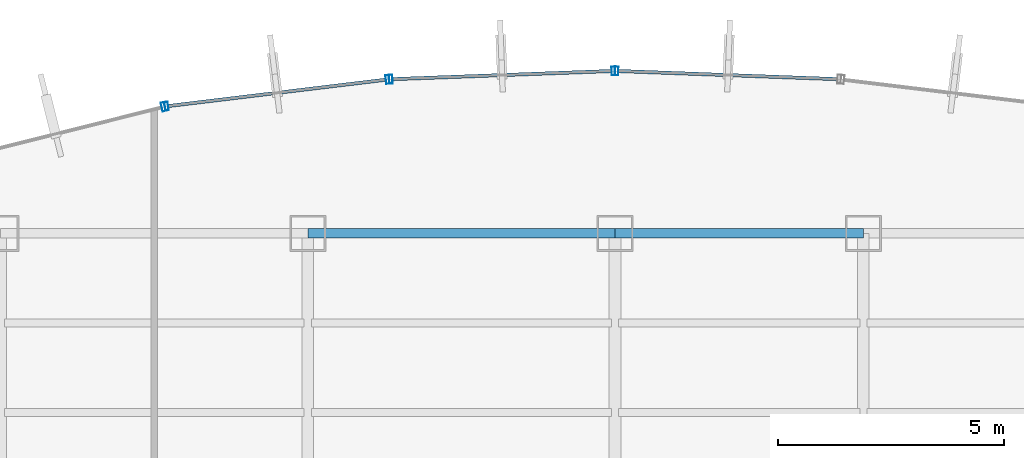
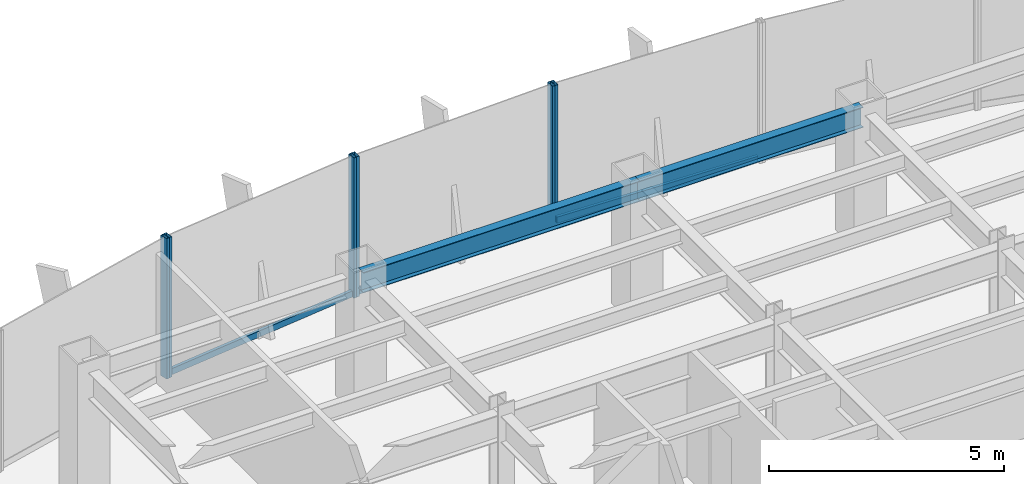
# One storey, part 16 of 26: 9 members, 2 beams, 4 elements without a shape of their own.
"""IFC4 building model written with IfcOpenShell, lengths in metres."""

import ifcopenshell
import ifcopenshell.guid

model = None  # the IFC model being written
_history = None  # IfcOwnerHistory: only IFC2X3 demands one
_inside = {}  # id of a spatial element -> (the spatial element, [elements in it])
_under = {}  # id of a project, library or spatial element -> (it, [spatial elements below it])
_declared = {}  # id of a project -> (the project, [libraries it declares])
_typed = {}  # id of a type object -> (the type object, [elements of that type])
_made_of = {}  # id of a material, layer set ... -> (it, [elements and type objects made of it])


def new_model(schema):
    """Start an empty IFC model of exactly this schema.

    Asked for "IFC4X3", IfcOpenShell would pick the latest addendum, in which some entities
    have other attributes; the version numbers below select the first issue.
    IFC2X3 requires an IfcOwnerHistory on every rooted entity: one is made here for all.
    """
    global model, _history
    if schema == "IFC4X3":
        model = ifcopenshell.file(schema_version=(4, 3, 0, 0))
    else:
        model = ifcopenshell.file(schema=schema)
    _inside.clear()
    _under.clear()
    _declared.clear()
    _typed.clear()
    _made_of.clear()
    _history = None
    if model.schema == "IFC2X3":
        org = make("IfcOrganization", Name="unknown")
        user = make(
            "IfcPersonAndOrganization",
            ThePerson=make("IfcPerson", FamilyName="unknown"),
            TheOrganization=org,
        )
        app = make(
            "IfcApplication",
            ApplicationDeveloper=org,
            Version="unknown",
            ApplicationFullName="unknown",
            ApplicationIdentifier="unknown",
        )
        _history = make(
            "IfcOwnerHistory",
            OwningUser=user,
            OwningApplication=app,
            ChangeAction="ADDED",
            CreationDate=0,
        )
    return model


def make(cls, **values):
    """One entity of the class cls with the attributes given. An attribute that is None is left unset."""
    return model.create_entity(
        cls, **{name: value for name, value in values.items() if value is not None}
    )


def rooted(cls, **values):
    """An entity with a GlobalId (a new one), such as an element, a storey or a relation."""
    return make(cls, GlobalId=ifcopenshell.guid.new(), OwnerHistory=_history, **values)


def si_unit(unit_type, name, prefix=None):
    """IfcSIUnit, for example si_unit("LENGTHUNIT", "METRE", prefix="MILLI")."""
    return make("IfcSIUnit", UnitType=unit_type, Prefix=prefix, Name=name)


def derived_unit(unit_type, elements):
    """IfcDerivedUnit: a product of units, each with its exponent."""
    return make(
        "IfcDerivedUnit",
        Elements=[
            make("IfcDerivedUnitElement", Unit=unit, Exponent=power)
            for unit, power in elements
        ],
        UnitType=unit_type,
    )


def assignment(units):
    """IfcUnitAssignment: the units of a project."""
    return None if units is None else make("IfcUnitAssignment", Units=units)


def point(xyz):
    """IfcCartesianPoint."""
    return None if xyz is None else make("IfcCartesianPoint", Coordinates=xyz)


def direction(xyz):
    """IfcDirection."""
    return None if xyz is None else make("IfcDirection", DirectionRatios=xyz)


def frame(location, z_axis=None, x_axis=None):
    """IfcAxis2Placement3D, a coordinate frame: its origin and axes. An axis left out is left unset."""
    return make(
        "IfcAxis2Placement3D",
        Location=point(location),
        Axis=direction(z_axis),
        RefDirection=direction(x_axis),
    )


def frame_2d(location, x_axis=None):
    """IfcAxis2Placement2D, a coordinate frame in the plane: its origin and x axis."""
    return make(
        "IfcAxis2Placement2D", Location=point(location), RefDirection=direction(x_axis)
    )


def origin():
    """The frame at (0, 0, 0) with its axes left unset."""
    return frame((0.0, 0.0, 0.0))


def origin_2d():
    """The frame at (0, 0) in the plane with its x axis left unset."""
    return frame_2d((0.0, 0.0))


def place(relative_to, where):
    """IfcLocalPlacement: puts the frame where relative to a parent placement (None: the world)."""
    return make(
        "IfcLocalPlacement", PlacementRelTo=relative_to, RelativePlacement=where
    )


def context(
    kind, dimensions, precision=None, world=None, true_north=None, identifier=None
):
    """IfcGeometricRepresentationContext, for example the 3D "Model" context."""
    return make(
        "IfcGeometricRepresentationContext",
        ContextIdentifier=identifier,
        ContextType=kind,
        CoordinateSpaceDimension=dimensions,
        Precision=precision,
        WorldCoordinateSystem=world,
        TrueNorth=true_north,
    )


def subcontext(parent, identifier, kind, view, scale=None):
    """IfcGeometricRepresentationSubContext, for example "Body" below "Model"."""
    return make(
        "IfcGeometricRepresentationSubContext",
        ContextIdentifier=identifier,
        ContextType=kind,
        ParentContext=parent,
        TargetScale=scale,
        TargetView=view,
    )


def project(units=None, contexts=None):
    """IfcProject with its units and contexts."""
    return rooted(
        "IfcProject",
        Name="project",
        RepresentationContexts=contexts,
        UnitsInContext=assignment(units),
    )


def spatial(cls, under=None, at=None, **own):
    """A site, building, storey or space (cls), placed at a placement, below another one or the project."""
    s = rooted(cls, ObjectPlacement=at, **own)
    if under is not None:
        _under.setdefault(under.id(), (under, []))[1].append(s)
    return s


def profile(cls, at=None, kind="AREA", **sizes):
    """A parametric profile (cls). Its sizes go by their IFC names, for example OverallWidth=200.0."""
    return make(cls, ProfileType=kind, Position=at, **sizes)


def hollow_rectangle(**sizes):
    """IfcRectangleHollowProfileDef."""
    return profile("IfcRectangleHollowProfileDef", **sizes)


def i_section(**sizes):
    """IfcIShapeProfileDef."""
    return profile("IfcIShapeProfileDef", **sizes)


def extrude(swept, where, along, depth):
    """IfcExtrudedAreaSolid: the profile swept, set in the frame where, extruded along a direction by depth."""
    return make(
        "IfcExtrudedAreaSolid",
        SweptArea=swept,
        Position=where,
        ExtrudedDirection=direction(along),
        Depth=depth,
    )


def shape(context_of_items, identifier, shape_type, items):
    """IfcShapeRepresentation: the items that make up one representation, for example the "Body"."""
    return make(
        "IfcShapeRepresentation",
        ContextOfItems=context_of_items,
        RepresentationIdentifier=identifier,
        RepresentationType=shape_type,
        Items=items,
    )


def source(mapping_origin, context_of_items, identifier, shape_type, items):
    """IfcRepresentationMap: a shape defined once, which mapped items show again and again."""
    return make(
        "IfcRepresentationMap",
        MappingOrigin=mapping_origin,
        MappedRepresentation=shape(context_of_items, identifier, shape_type, items),
    )


def transform(
    local_origin,
    x_axis=None,
    y_axis=None,
    z_axis=None,
    scale=None,
    scale2=None,
    scale3=None,
    uniform=True,
):
    """IfcCartesianTransformationOperator3D, or its non-uniform kind. x_axis, y_axis, z_axis: its Axis1, 2, 3."""
    if uniform:
        return make(
            "IfcCartesianTransformationOperator3D",
            Axis1=direction(x_axis),
            Axis2=direction(y_axis),
            LocalOrigin=point(local_origin),
            Scale=scale,
            Axis3=direction(z_axis),
        )
    return make(
        "IfcCartesianTransformationOperator3DnonUniform",
        Axis1=direction(x_axis),
        Axis2=direction(y_axis),
        LocalOrigin=point(local_origin),
        Scale=scale,
        Axis3=direction(z_axis),
        Scale2=scale2,
        Scale3=scale3,
    )


def mapped(mapping_source, mapping_target):
    """IfcMappedItem: shows the shape of a source again, moved by a transform."""
    return make(
        "IfcMappedItem", MappingSource=mapping_source, MappingTarget=mapping_target
    )


def material(Name=None, Category=None):
    """IfcMaterial."""
    return make("IfcMaterial", Name=Name, Category=Category)


def material_profile(
    of_material, cross_section, Name=None, Category=None, Priority=None
):
    """IfcMaterialProfile: a cross section and its material."""
    return make(
        "IfcMaterialProfile",
        Name=Name,
        Material=of_material,
        Profile=cross_section,
        Priority=Priority,
        Category=Category,
    )


def profile_set(profiles, Name=None, composite=None):
    """IfcMaterialProfileSet."""
    return make(
        "IfcMaterialProfileSet",
        Name=Name,
        MaterialProfiles=profiles,
        CompositeProfile=composite,
    )


def made_of(thing, what):
    """Note that an element or type object is made of a material, layer set ...; save() writes the relation."""
    if what is not None:
        _made_of.setdefault(what.id(), (what, []))[1].append(thing)
    return thing


def type_object(cls, material=None, **own):
    """A type object (cls), such as IfcWallType, which elements share."""
    return made_of(rooted(cls, **own), material)


def element(
    cls,
    number,
    at=None,
    inside=None,
    cuts=None,
    type_object=None,
    material=None,
    context=None,
    identifier="Body",
    shape_type=None,
    held_by="IfcProductDefinitionShape",
    body=None,
    shapes=None,
    **own,
):
    """One element of the class cls, such as IfcWall. Its Tag is "e" and its number.

    at: its placement. inside: the storey or other place that contains it. cuts: it is an
    opening in that element (IfcRelVoidsElement). A single representation is given by context,
    identifier, shape_type and body (its items); several are given by shapes. held_by: the class
    of the entity that holds the representations. save() writes the other relations.
    """
    e = rooted(cls, Tag="e%d" % number, ObjectPlacement=at, **own)
    if body is not None:
        shapes = [shape(context, identifier, shape_type, body)]
    if shapes is not None:
        e.Representation = make(held_by, Representations=shapes)
    if inside is not None:
        _inside.setdefault(inside.id(), (inside, []))[1].append(e)
    if cuts is not None:
        rooted(
            "IfcRelVoidsElement", RelatingBuildingElement=cuts, RelatedOpeningElement=e
        )
    if type_object is not None:
        _typed.setdefault(type_object.id(), (type_object, []))[1].append(e)
    return made_of(e, material)


def aggregate(whole, parts):
    """IfcRelAggregates: a whole, such as a stair, and the parts it consists of."""
    return rooted("IfcRelAggregates", RelatingObject=whole, RelatedObjects=parts)


def save(model, path):
    """Write the relations noted so far, then the file.

    IfcRelAggregates (storeys below a building ...), IfcRelContainedInSpatialStructure (elements
    in a storey), IfcRelDefinesByType, IfcRelAssociatesMaterial and IfcRelDeclares: one each for
    every whole, place, type object, material and project.
    """
    for whole, parts in _under.values():
        aggregate(whole, parts)
    for where, things in _inside.values():
        rooted(
            "IfcRelContainedInSpatialStructure",
            RelatedElements=things,
            RelatingStructure=where,
        )
    for kind, things in _typed.values():
        rooted("IfcRelDefinesByType", RelatedObjects=things, RelatingType=kind)
    for what, things in _made_of.values():
        rooted("IfcRelAssociatesMaterial", RelatedObjects=things, RelatingMaterial=what)
    for by, libraries in _declared.values():
        rooted("IfcRelDeclares", RelatingContext=by, RelatedDefinitions=libraries)
    model.write(path)


model = new_model("IFC4")

# Units and contexts
model_context = context("Model", 3, precision=1e-05, world=origin(), true_north=direction((0.0, 1.0)))
body_context = subcontext(model_context, "Body", "Model", "MODEL_VIEW")
ifc_project = project(units=[si_unit("LENGTHUNIT", "METRE"), si_unit("AREAUNIT", "SQUARE_METRE"), si_unit("VOLUMEUNIT", "CUBIC_METRE"), si_unit("PLANEANGLEUNIT", "RADIAN"), si_unit("MASSUNIT", "GRAM", prefix="KILO"), derived_unit("THERMALTRANSMITTANCEUNIT", [(si_unit("POWERUNIT", "WATT"), 1), (si_unit("LENGTHUNIT", "METRE"), -2), (si_unit("THERMODYNAMICTEMPERATUREUNIT", "KELVIN"), -1)])], contexts=[model_context])

# Site, building, storey
site_placement = place(None, origin())
site = spatial("IfcSite", under=ifc_project, at=site_placement, CompositionType="ELEMENT")
building_placement = place(site_placement, origin())
building = spatial("IfcBuilding", under=site, at=building_placement, Name="Skarnbrae Concourse Arena and Tower", CompositionType="ELEMENT")
storey_placement = place(building_placement, frame((0.0, 0.0, 132.449951171875)))
storey = spatial("IfcBuildingStorey", under=building, at=storey_placement, Name="L33", CompositionType="ELEMENT", Elevation=132.449951171875)

# Beams
ifc_material_1 = material(Name="Steel CSA G40.21 350W", Category="steel")
ifc_material_profile_1 = material_profile(ifc_material_1, i_section(OverallWidth=0.208984375, OverallDepth=0.532958984375, WebThickness=0.01025390625, FlangeThickness=0.015625, at=origin_2d()), Name="W530X92")
ifc_profile_set_1 = profile_set([ifc_material_profile_1], Name="Steel CSA G40.21 350W")
beam_type = type_object("IfcBeamType", Name="BM-SPAN-W530X92", PredefinedType="SPANDREL", material=ifc_profile_set_1)
shared_shape_1 = source(origin(), body_context, "Body", "SweptSolid", [
    extrude(i_section(OverallWidth=0.208984375, OverallDepth=0.532958984375, WebThickness=0.01025390625, FlangeThickness=0.015625, at=origin_2d()), origin(), (0.0, 0.0, 1.0), 6.800048828125),
])
beam_1_placement = place(storey_placement, frame((21.199951171875, 40.39990234375, 3.08349609375), z_axis=(1.0, 0.0, 0.0), x_axis=(0.0, 1.0, 0.0)))
element("IfcBeam", 1, at=beam_1_placement, inside=storey, type_object=beam_type, Name="L33 Perimeter spandrel Y40.4-2", PredefinedType="SPANDREL", context=body_context, shape_type="MappedRepresentation", body=[
    mapped(shared_shape_1, transform((0.0, 0.0, 0.0))),
])
shared_shape_2 = source(origin(), body_context, "Body", "SweptSolid", [
    extrude(i_section(OverallWidth=0.208984375, OverallDepth=0.532958984375, WebThickness=0.01025390625, FlangeThickness=0.015625, at=origin_2d()), origin(), (0.0, 0.0, 1.0), 5.5),
])
beam_2_placement = place(storey_placement, frame((28.0, 40.39990234375, 3.08349609375), z_axis=(1.0, 0.0, 0.0), x_axis=(0.0, 1.0, 0.0)))
element("IfcBeam", 2, at=beam_2_placement, inside=storey, type_object=beam_type, Name="L33 Perimeter spandrel Y40.4-3", PredefinedType="SPANDREL", context=body_context, shape_type="MappedRepresentation", body=[
    mapped(shared_shape_2, transform((0.0, 0.0, 0.0))),
])

# Curtain wall, member
ifc_material_2 = material(Name="Bronze anodised aluminium 6063-T6", Category="aluminium")
curtain_wall_type = type_object("IfcCurtainWallType", Name="CW-SYS-04-MIDZONE", PredefinedType="USERDEFINED", material=ifc_material_2)
curtain_wall_1_placement = place(storey_placement, origin())
curtain_wall_1 = element("IfcCurtainWall", 3, at=curtain_wall_1_placement, inside=storey, type_object=curtain_wall_type, Name="L33 Unitised curtain wall CW-L33-E11", ObjectType="UNITISED CURTAIN WALL", PredefinedType="USERDEFINED")
ifc_material_profile_2 = material_profile(ifc_material_2, hollow_rectangle(XDim=0.074951171875, YDim=0.195068359375, WallThickness=0.00439453125, at=origin_2d()), Name="ALU-MULL-75X195")
ifc_profile_set_2 = profile_set([ifc_material_profile_2], Name="Bronze anodised aluminium 6063-T6")
member_type_1 = type_object("IfcMemberType", Name="CWM-CW-04", PredefinedType="MULLION", material=ifc_profile_set_2)
shared_shape_3 = source(origin(), body_context, "Body", "SweptSolid", [
    extrude(hollow_rectangle(XDim=0.074951171875, YDim=0.195068359375, WallThickness=0.00439453125, at=origin_2d()), origin(), (0.0, 0.0, 1.0), 3.650146484375),
])
member_1_placement = place(storey_placement, frame((28.03759765625, 43.99853515625, 0.0), z_axis=(0.0, 0.0, 1.0), x_axis=(-0.999308486252, 0.037182647889, 0.0)))
member_1 = element("IfcMember", 4, at=member_1_placement, type_object=member_type_1, Name="CW-L33-E11 Mullion 2", PredefinedType="MULLION", context=body_context, shape_type="MappedRepresentation", body=[
    mapped(shared_shape_3, transform((0.0, 0.0, 0.0))),
])

# Curtain wall, members
curtain_wall_2_placement = place(storey_placement, origin())
curtain_wall_2 = element("IfcCurtainWall", 5, at=curtain_wall_2_placement, inside=storey, type_object=curtain_wall_type, Name="L33 Unitised curtain wall CW-L33-E12", ObjectType="UNITISED CURTAIN WALL", PredefinedType="USERDEFINED")
member_2_placement = place(storey_placement, frame((27.96240234375, 43.99853515625, 0.0), z_axis=(0.0, 0.0, 1.0), x_axis=(-0.999308486252, -0.037182647889, 0.0)))
member_2 = element("IfcMember", 6, at=member_2_placement, type_object=member_type_1, Name="CW-L33-E12 Mullion 1", PredefinedType="MULLION", context=body_context, shape_type="MappedRepresentation", body=[
    mapped(shared_shape_3, transform((0.0, 0.0, 0.0))),
])
member_3_placement = place(storey_placement, frame((23.03857421875, 43.8154296875, 0.0), z_axis=(0.0, 0.0, 1.0), x_axis=(-0.999308486252, -0.037182647889, 0.0)))
member_3 = element("IfcMember", 7, at=member_3_placement, type_object=member_type_1, Name="CW-L33-E12 Mullion 2", PredefinedType="MULLION", context=body_context, shape_type="MappedRepresentation", body=[
    mapped(shared_shape_3, transform((0.0, 0.0, 0.0))),
])

curtain_wall_3_placement = place(storey_placement, origin())
curtain_wall_3 = element("IfcCurtainWall", 8, at=curtain_wall_3_placement, inside=storey, type_object=curtain_wall_type, Name="L33 Unitised curtain wall CW-L33-E13", ObjectType="UNITISED CURTAIN WALL", PredefinedType="USERDEFINED")
member_4_placement = place(storey_placement, frame((22.9638671875, 43.8095703125, 0.0), z_axis=(0.0, 0.0, 1.0), x_axis=(-0.992749371969, -0.120202680731, 0.0)))
member_4 = element("IfcMember", 9, at=member_4_placement, type_object=member_type_1, Name="CW-L33-E13 Mullion 1", PredefinedType="MULLION", context=body_context, shape_type="MappedRepresentation", body=[
    mapped(shared_shape_3, transform((0.0, 0.0, 0.0))),
])
member_5_placement = place(storey_placement, frame((18.072998046875, 43.21728515625, 0.0), z_axis=(0.0, 0.0, 1.0), x_axis=(-0.992749371969, -0.120202680731, 0.0)))
member_5 = element("IfcMember", 10, at=member_5_placement, type_object=member_type_1, Name="CW-L33-E13 Mullion 2", PredefinedType="MULLION", context=body_context, shape_type="MappedRepresentation", body=[
    mapped(shared_shape_3, transform((0.0, 0.0, 0.0))),
])

# Curtain wall, member
curtain_wall_4_placement = place(storey_placement, origin())
curtain_wall_4 = element("IfcCurtainWall", 11, at=curtain_wall_4_placement, inside=storey, type_object=curtain_wall_type, Name="L33 Unitised curtain wall CW-L33-E14", ObjectType="UNITISED CURTAIN WALL", PredefinedType="USERDEFINED")
member_6_placement = place(storey_placement, frame((17.99951171875, 43.20361328125, 0.0), z_axis=(0.0, 0.0, 1.0), x_axis=(-0.969903046166, -0.243491439351, 0.0)))
member_6 = element("IfcMember", 12, at=member_6_placement, type_object=member_type_1, Name="CW-L33-E14 Mullion 1", PredefinedType="MULLION", context=body_context, shape_type="MappedRepresentation", body=[
    mapped(shared_shape_3, transform((0.0, 0.0, 0.0))),
])
aggregate(curtain_wall_4, [member_6])

# Member
ifc_material_profile_3 = material_profile(ifc_material_2, hollow_rectangle(XDim=0.074951171875, YDim=0.159912109375, WallThickness=0.00439453125, at=origin_2d()), Name="ALU-TRAN-75X160")
ifc_profile_set_3 = profile_set([ifc_material_profile_3], Name="Bronze anodised aluminium 6063-T6")
member_type_2 = type_object("IfcMemberType", Name="CWT-CW-04", PredefinedType="USERDEFINED", material=ifc_profile_set_3)
shared_shape_4 = source(origin(), body_context, "Body", "SweptSolid", [
    extrude(hollow_rectangle(XDim=0.074951171875, YDim=0.159912109375, WallThickness=0.00439453125, at=origin_2d()), origin(), (0.0, 0.0, 1.0), 4.851318359375),
])
member_7_placement = place(storey_placement, frame((22.926513671875, 43.804931640625, 0.080078125), z_axis=(-0.992746710317, -0.120224661172, 0.0), x_axis=(0.120224661172, -0.992746710317, 0.0)))
member_7 = element("IfcMember", 13, at=member_7_placement, type_object=member_type_2, Name="CW-L33-E13 Transom 1", ObjectType="TRANSOM", PredefinedType="USERDEFINED", context=body_context, shape_type="MappedRepresentation", body=[
    mapped(shared_shape_4, transform((0.0, 0.0, 0.0))),
])

aggregate(curtain_wall_3, [member_4, member_5, member_7])

shared_shape_5 = source(origin(), body_context, "Body", "SweptSolid", [
    extrude(hollow_rectangle(XDim=0.074951171875, YDim=0.159912109375, WallThickness=0.00439453125, at=origin_2d()), origin(), (0.0, 0.0, 1.0), 4.8525390625),
])
member_8_placement = place(storey_placement, frame((32.924072265625, 43.81689453125, 0.080078125), z_axis=(-0.999308547576, 0.037180999731, 0.0), x_axis=(-0.037180999731, -0.999308547576, 0.0)))
member_8 = element("IfcMember", 14, at=member_8_placement, type_object=member_type_2, Name="CW-L33-E11 Transom 1", ObjectType="TRANSOM", PredefinedType="USERDEFINED", context=body_context, shape_type="MappedRepresentation", body=[
    mapped(shared_shape_5, transform((0.0, 0.0, 0.0))),
])

aggregate(curtain_wall_1, [member_1, member_8])

member_9_placement = place(storey_placement, frame((27.925048828125, 43.997314453125, 0.080078125), z_axis=(-0.999308547576, -0.037180999731, 0.0), x_axis=(0.037180999731, -0.999308547576, 0.0)))
member_9 = element("IfcMember", 15, at=member_9_placement, type_object=member_type_2, Name="CW-L33-E12 Transom 1", ObjectType="TRANSOM", PredefinedType="USERDEFINED", context=body_context, shape_type="MappedRepresentation", body=[
    mapped(shared_shape_5, transform((0.0, 0.0, 0.0))),
])

aggregate(curtain_wall_2, [member_2, member_3, member_9])

save(model, "model.ifc")
